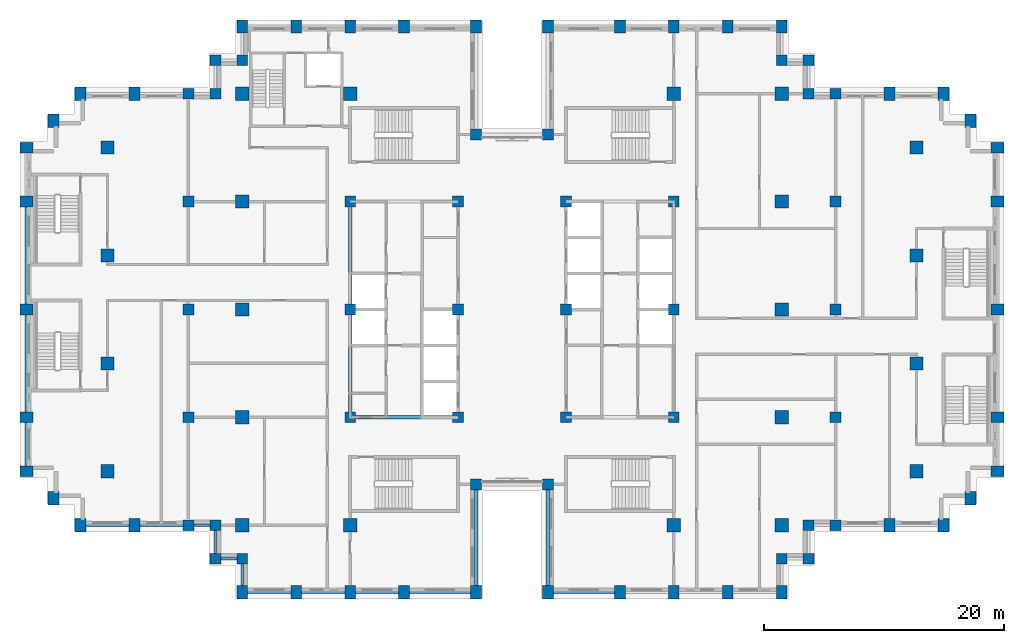
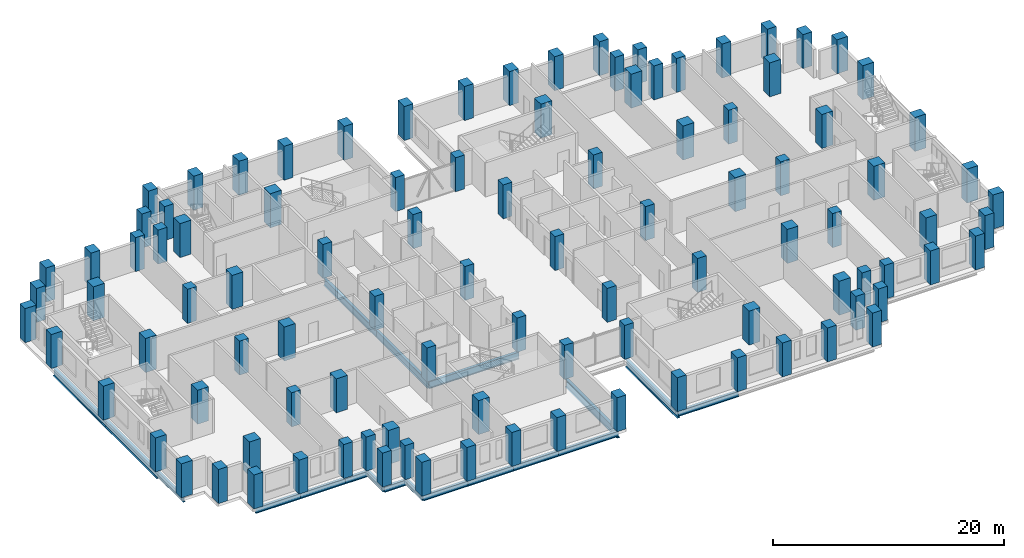
# One storey, part 1 of 16: 102 columns, 19 beams.
"""IFC4 building model written with IfcOpenShell, lengths in metres."""

from ifc_helpers import new_model, si_unit, direction, frame, origin, origin_2d, place, context, subcontext, project, spatial, rectangle, i_section, extrude, material, material_profile, profile_set, type_object, element, save


model = new_model("IFC4")

# Units and contexts
model_context = context("Model", 3, precision=1e-05, world=origin(), true_north=direction((0.0, 1.0)))
body_context = subcontext(model_context, "Body", "Model", "MODEL_VIEW")
ifc_project = project(units=[si_unit("LENGTHUNIT", "METRE"), si_unit("AREAUNIT", "SQUARE_METRE"), si_unit("VOLUMEUNIT", "CUBIC_METRE"), si_unit("PLANEANGLEUNIT", "RADIAN"), si_unit("MASSUNIT", "GRAM", prefix="KILO")], contexts=[model_context])

# Site, building, storey
site_placement = place(None, origin())
site = spatial("IfcSite", under=ifc_project, at=site_placement, CompositionType="ELEMENT")
building_placement = place(site_placement, origin())
building = spatial("IfcBuilding", under=site, at=building_placement, Name="Corbelhall Arena Tower", CompositionType="ELEMENT")
storey_placement = place(building_placement, frame((0.0, 0.0, 174.0)))
storey = spatial("IfcBuildingStorey", under=building, at=storey_placement, Name="L35", CompositionType="ELEMENT", Elevation=174.0)

# Columns
ifc_material_1 = material(Name="Concrete C80/95", Category="concrete")
ifc_material_profile_1 = material_profile(ifc_material_1, rectangle(XDim=1.10009765625, YDim=1.10009765625, at=origin_2d()))
ifc_profile_set_1 = profile_set([ifc_material_profile_1], Name="Concrete C80/95")
column_type_1 = type_object("IfcColumnType", Name="ST-COL-RC 1100x1100", PredefinedType="COLUMN", material=ifc_profile_set_1)
for number, where, z_axis, x_axis, name in (
    (1, (-33.75, 4.5, 0.0), (0.0, 0.0, 1.0), (1.0, 0.0, 0.0), "Column FIC+0450"),
    (2, (-33.75, 13.5, 0.0), (0.0, 0.0, 1.0), (1.0, 0.0, 0.0), "Column FIC+1350"),
    (3, (-33.75, -4.5, 0.0), (0.0, 0.0, 1.0), (1.0, 0.0, 0.0), "Column FIC-0450"),
    (4, (-33.75, -13.5, 0.0), (0.0, 0.0, 1.0), (1.0, 0.0, 0.0), "Column FIC-1350"),
    (5, (33.75, 4.5, 0.0), (0.0, 0.0, 1.0), (1.0, 0.0, 0.0), "Column FID+0450"),
    (6, (33.75, 13.5, 0.0), (0.0, 0.0, 1.0), (1.0, 0.0, 0.0), "Column FID+1350"),
    (7, (33.75, -4.5, 0.0), (0.0, 0.0, 1.0), (1.0, 0.0, 0.0), "Column FID-0450"),
    (8, (33.75, -13.5, 0.0), (0.0, 0.0, 1.0), (1.0, 0.0, 0.0), "Column FID-1350"),
    (9, (13.5, 18.0, 0.0), (0.0, 0.0, 1.0), (1.0, 0.0, 0.0), "Column IE13+1800"),
    (10, (13.5, -18.0, 0.0), (0.0, 0.0, 1.0), (1.0, 0.0, 0.0), "Column IE13-1800"),
    (11, (22.5, 0.0, 0.0), (0.0, 0.0, 1.0), (1.0, 0.0, 0.0), "Column IE22+0000"),
    (12, (22.5, 9.0, 0.0), (0.0, 0.0, 1.0), (1.0, 0.0, 0.0), "Column IE22+0900"),
    (13, (22.5, 18.0, 0.0), (0.0, 0.0, 1.0), (1.0, 0.0, 0.0), "Column IE22+1800"),
    (14, (22.5, -9.0, 0.0), (0.0, 0.0, 1.0), (1.0, 0.0, 0.0), "Column IE22-0900"),
    (15, (22.5, -18.0, 0.0), (0.0, 0.0, 1.0), (1.0, 0.0, 0.0), "Column IE22-1800"),
    (16, (-13.5, 18.0, 0.0), (0.0, 0.0, 1.0), (1.0, 0.0, 0.0), "Column IW13+1800"),
    (17, (-13.5, -18.0, 0.0), (0.0, 0.0, 1.0), (1.0, 0.0, 0.0), "Column IW13-1800"),
    (18, (-22.5, 0.0, 0.0), (0.0, 0.0, 1.0), (1.0, 0.0, 0.0), "Column IW22+0000"),
    (19, (-22.5, 9.0, 0.0), (0.0, 0.0, 1.0), (1.0, 0.0, 0.0), "Column IW22+0900"),
    (20, (-22.5, 18.0, 0.0), (0.0, 0.0, 1.0), (1.0, 0.0, 0.0), "Column IW22+1800"),
    (21, (-22.5, -9.0, 0.0), (0.0, 0.0, 1.0), (1.0, 0.0, 0.0), "Column IW22-0900"),
    (22, (-22.5, -18.0, 0.0), (0.0, 0.0, 1.0), (1.0, 0.0, 0.0), "Column IW22-1800"),
):
    element("IfcColumn", number, at=place(storey_placement, frame(where, z_axis=z_axis, x_axis=x_axis)), inside=storey, type_object=column_type_1, Name=name, PredefinedType="COLUMN", context=body_context, shape_type="SweptSolid", body=[
        extrude(rectangle(XDim=1.10009765625, YDim=1.10009765625, at=origin_2d()), origin(), (0.0, 0.0, 1.0), 3.590087890625),
    ])
ifc_material_profile_2 = material_profile(ifc_material_1, rectangle(XDim=0.89990234375, YDim=1.10009765625, at=origin_2d()))
ifc_profile_set_2 = profile_set([ifc_material_profile_2], Name="Concrete C80/95")
column_type_2 = type_object("IfcColumnType", Name="ST-COL-RC 900x1100", PredefinedType="COLUMN", material=ifc_profile_set_2)
for number, where, z_axis, x_axis, name in (
    (23, (-40.5, 0.0, 0.0), (0.0, 0.0, 1.0), (0.0, 1.0, 0.0), "Column FC+0000"),
    (24, (-40.5, 9.0, 0.0), (0.0, 0.0, 1.0), (0.0, 1.0, 0.0), "Column FC+0900"),
    (25, (-40.5, 13.5, 0.0), (0.0, 0.0, 1.0), (0.0, 1.0, 0.0), "Column FC+1350"),
    (26, (-40.5, -9.0, 0.0), (0.0, 0.0, 1.0), (0.0, 1.0, 0.0), "Column FC-0900"),
    (27, (-40.5, -13.5, 0.0), (0.0, 0.0, 1.0), (0.0, 1.0, 0.0), "Column FC-1350"),
    (28, (-38.25, 15.75, 0.0), (0.0, 0.0, 1.0), (1.0, 0.0, 0.0), "Column FCCN"),
    (29, (-38.25, -15.75, 0.0), (0.0, 0.0, 1.0), (1.0, 0.0, 0.0), "Column FCCS"),
    (30, (-31.5, 18.0, 0.0), (0.0, 0.0, 1.0), (1.0, 0.0, 0.0), "Column FCN3150"),
    (31, (-36.0, 18.0, 0.0), (0.0, 0.0, 1.0), (1.0, 0.0, 0.0), "Column FCN3600"),
    (32, (-31.5, -18.0, 0.0), (0.0, 0.0, 1.0), (1.0, 0.0, 0.0), "Column FCS3150"),
    (33, (-36.0, -18.0, 0.0), (0.0, 0.0, 1.0), (1.0, 0.0, 0.0), "Column FCS3600"),
    (34, (40.5, 0.0, 0.0), (0.0, 0.0, 1.0), (0.0, 1.0, 0.0), "Column FD+0000"),
    (35, (40.5, 9.0, 0.0), (0.0, 0.0, 1.0), (0.0, 1.0, 0.0), "Column FD+0900"),
    (36, (40.5, 13.5, 0.0), (0.0, 0.0, 1.0), (0.0, 1.0, 0.0), "Column FD+1350"),
    (37, (40.5, -9.0, 0.0), (0.0, 0.0, 1.0), (0.0, 1.0, 0.0), "Column FD-0900"),
    (38, (40.5, -13.5, 0.0), (0.0, 0.0, 1.0), (0.0, 1.0, 0.0), "Column FD-1350"),
    (39, (38.25, 15.75, 0.0), (0.0, 0.0, 1.0), (1.0, 0.0, 0.0), "Column FDCN"),
    (40, (38.25, -15.75, 0.0), (0.0, 0.0, 1.0), (1.0, 0.0, 0.0), "Column FDCS"),
    (41, (31.5, 18.0, 0.0), (0.0, 0.0, 1.0), (1.0, 0.0, 0.0), "Column FDN3150"),
    (42, (36.0, 18.0, 0.0), (0.0, 0.0, 1.0), (1.0, 0.0, 0.0), "Column FDN3600"),
    (43, (31.5, -18.0, 0.0), (0.0, 0.0, 1.0), (1.0, 0.0, 0.0), "Column FDS3150"),
    (44, (36.0, -18.0, 0.0), (0.0, 0.0, 1.0), (1.0, 0.0, 0.0), "Column FDS3600"),
    (45, (3.0, 23.60009765625, 0.0), (0.0, 0.0, 1.0), (1.0, 0.0, 0.0), "Column PNE0300"),
    (46, (9.0, 23.60009765625, 0.0), (0.0, 0.0, 1.0), (1.0, 0.0, 0.0), "Column PNE0900"),
    (47, (13.5, 23.60009765625, 0.0), (0.0, 0.0, 1.0), (1.0, 0.0, 0.0), "Column PNE1350"),
    (48, (18.0, 23.60009765625, 0.0), (0.0, 0.0, 1.0), (1.0, 0.0, 0.0), "Column PNE1800"),
    (49, (22.5, 23.60009765625, 0.0), (0.0, 0.0, 1.0), (1.0, 0.0, 0.0), "Column PNE2250"),
    (50, (-3.0, 23.60009765625, 0.0), (0.0, 0.0, 1.0), (1.0, 0.0, 0.0), "Column PNW0300"),
    (51, (-9.0, 23.60009765625, 0.0), (0.0, 0.0, 1.0), (1.0, 0.0, 0.0), "Column PNW0900"),
    (52, (-13.5, 23.60009765625, 0.0), (0.0, 0.0, 1.0), (1.0, 0.0, 0.0), "Column PNW1350"),
    (53, (-18.0, 23.60009765625, 0.0), (0.0, 0.0, 1.0), (1.0, 0.0, 0.0), "Column PNW1800"),
    (54, (-22.5, 23.60009765625, 0.0), (0.0, 0.0, 1.0), (1.0, 0.0, 0.0), "Column PNW2250"),
    (55, (3.0, -23.60009765625, 0.0), (0.0, 0.0, 1.0), (1.0, 0.0, 0.0), "Column PSE0300"),
    (56, (9.0, -23.60009765625, 0.0), (0.0, 0.0, 1.0), (1.0, 0.0, 0.0), "Column PSE0900"),
    (57, (13.5, -23.60009765625, 0.0), (0.0, 0.0, 1.0), (1.0, 0.0, 0.0), "Column PSE1350"),
    (58, (18.0, -23.60009765625, 0.0), (0.0, 0.0, 1.0), (1.0, 0.0, 0.0), "Column PSE1800"),
    (59, (22.5, -23.60009765625, 0.0), (0.0, 0.0, 1.0), (1.0, 0.0, 0.0), "Column PSE2250"),
    (60, (-3.0, -23.60009765625, 0.0), (0.0, 0.0, 1.0), (1.0, 0.0, 0.0), "Column PSW0300"),
    (61, (-9.0, -23.60009765625, 0.0), (0.0, 0.0, 1.0), (1.0, 0.0, 0.0), "Column PSW0900"),
    (62, (-13.5, -23.60009765625, 0.0), (0.0, 0.0, 1.0), (1.0, 0.0, 0.0), "Column PSW1350"),
    (63, (-18.0, -23.60009765625, 0.0), (0.0, 0.0, 1.0), (1.0, 0.0, 0.0), "Column PSW1800"),
    (64, (-22.5, -23.60009765625, 0.0), (0.0, 0.0, 1.0), (1.0, 0.0, 0.0), "Column PSW2250"),
):
    element("IfcColumn", number, at=place(storey_placement, frame(where, z_axis=z_axis, x_axis=x_axis)), inside=storey, type_object=column_type_2, Name=name, PredefinedType="COLUMN", context=body_context, shape_type="SweptSolid", body=[
        extrude(rectangle(XDim=0.89990234375, YDim=1.10009765625, at=origin_2d()), origin(), (0.0, 0.0, 1.0), 3.590087890625),
    ])
ifc_material_profile_3 = material_profile(ifc_material_1, rectangle(XDim=0.89990234375, YDim=0.89990234375, at=origin_2d()))
ifc_profile_set_3 = profile_set([ifc_material_profile_3], Name="Concrete C80/95")
column_type_3 = type_object("IfcColumnType", Name="ST-COL-RC 900x900", PredefinedType="COLUMN", material=ifc_profile_set_3)
for number, where, z_axis, x_axis, name in (
    (65, (4.5, 0.0, 0.0), (0.0, 0.0, 1.0), (1.0, 0.0, 0.0), "Column KE+0450+0000"),
    (66, (4.5, 9.0, 0.0), (0.0, 0.0, 1.0), (1.0, 0.0, 0.0), "Column KE+0450+0900"),
    (67, (4.5, -9.0, 0.0), (0.0, 0.0, 1.0), (1.0, 0.0, 0.0), "Column KE+0450-0900"),
    (68, (13.5, 0.0, 0.0), (0.0, 0.0, 1.0), (1.0, 0.0, 0.0), "Column KE+1350+0000"),
    (69, (13.5, 9.0, 0.0), (0.0, 0.0, 1.0), (1.0, 0.0, 0.0), "Column KE+1350+0900"),
    (70, (13.5, -9.0, 0.0), (0.0, 0.0, 1.0), (1.0, 0.0, 0.0), "Column KE+1350-0900"),
    (71, (-4.5, 0.0, 0.0), (0.0, 0.0, 1.0), (1.0, 0.0, 0.0), "Column KW-0450+0000"),
    (72, (-4.5, 9.0, 0.0), (0.0, 0.0, 1.0), (1.0, 0.0, 0.0), "Column KW-0450+0900"),
    (73, (-4.5, -9.0, 0.0), (0.0, 0.0, 1.0), (1.0, 0.0, 0.0), "Column KW-0450-0900"),
    (74, (-13.5, 0.0, 0.0), (0.0, 0.0, 1.0), (1.0, 0.0, 0.0), "Column KW-1350+0000"),
    (75, (-13.5, 9.0, 0.0), (0.0, 0.0, 1.0), (1.0, 0.0, 0.0), "Column KW-1350+0900"),
    (76, (-13.5, -9.0, 0.0), (0.0, 0.0, 1.0), (1.0, 0.0, 0.0), "Column KW-1350-0900"),
    (77, (27.0, 0.0, 0.0), (0.0, 0.0, 1.0), (1.0, 0.0, 0.0), "Column PE+0000"),
    (78, (27.0, 9.0, 0.0), (0.0, 0.0, 1.0), (1.0, 0.0, 0.0), "Column PE+0900"),
    (79, (27.0, 18.0, 0.0), (0.0, 0.0, 1.0), (1.0, 0.0, 0.0), "Column PE+1800"),
    (80, (27.0, -9.0, 0.0), (0.0, 0.0, 1.0), (1.0, 0.0, 0.0), "Column PE-0900"),
    (81, (27.0, -18.0, 0.0), (0.0, 0.0, 1.0), (1.0, 0.0, 0.0), "Column PE-1800"),
    (82, (-27.0, 0.0, 0.0), (0.0, 0.0, 1.0), (1.0, 0.0, 0.0), "Column PW+0000"),
    (83, (-27.0, 9.0, 0.0), (0.0, 0.0, 1.0), (1.0, 0.0, 0.0), "Column PW+0900"),
    (84, (-27.0, 18.0, 0.0), (0.0, 0.0, 1.0), (1.0, 0.0, 0.0), "Column PW+1800"),
    (85, (-27.0, -9.0, 0.0), (0.0, 0.0, 1.0), (1.0, 0.0, 0.0), "Column PW-0900"),
    (86, (-27.0, -18.0, 0.0), (0.0, 0.0, 1.0), (1.0, 0.0, 0.0), "Column PW-1800"),
    (87, (3.0, 14.60009765625, 0.0), (0.0, 0.0, 1.0), (1.0, 0.0, 0.0), "Column SLNE2"),
    (88, (-3.0, 14.60009765625, 0.0), (0.0, 0.0, 1.0), (1.0, 0.0, 0.0), "Column SLNW2"),
    (89, (3.0, -14.60009765625, 0.0), (0.0, 0.0, 1.0), (1.0, 0.0, 0.0), "Column SLSE2"),
    (90, (-3.0, -14.60009765625, 0.0), (0.0, 0.0, 1.0), (1.0, 0.0, 0.0), "Column SLSW2"),
    (91, (22.5, 20.800048828125, 0.0), (0.0, 0.0, 1.0), (1.0, 0.0, 0.0), "Column XNE1"),
    (92, (24.75, 20.800048828125, 0.0), (0.0, 0.0, 1.0), (1.0, 0.0, 0.0), "Column XNE2"),
    (93, (24.75, 18.0, 0.0), (0.0, 0.0, 1.0), (1.0, 0.0, 0.0), "Column XNE3"),
    (94, (-22.5, 20.800048828125, 0.0), (0.0, 0.0, 1.0), (1.0, 0.0, 0.0), "Column XNW1"),
    (95, (-24.75, 20.800048828125, 0.0), (0.0, 0.0, 1.0), (1.0, 0.0, 0.0), "Column XNW2"),
    (96, (-24.75, 18.0, 0.0), (0.0, 0.0, 1.0), (1.0, 0.0, 0.0), "Column XNW3"),
    (97, (22.5, -20.800048828125, 0.0), (0.0, 0.0, 1.0), (1.0, 0.0, 0.0), "Column XSE1"),
    (98, (24.75, -20.800048828125, 0.0), (0.0, 0.0, 1.0), (1.0, 0.0, 0.0), "Column XSE2"),
    (99, (24.75, -18.0, 0.0), (0.0, 0.0, 1.0), (1.0, 0.0, 0.0), "Column XSE3"),
    (100, (-22.5, -20.800048828125, 0.0), (0.0, 0.0, 1.0), (1.0, 0.0, 0.0), "Column XSW1"),
    (101, (-24.75, -20.800048828125, 0.0), (0.0, 0.0, 1.0), (1.0, 0.0, 0.0), "Column XSW2"),
    (102, (-24.75, -18.0, 0.0), (0.0, 0.0, 1.0), (1.0, 0.0, 0.0), "Column XSW3"),
):
    element("IfcColumn", number, at=place(storey_placement, frame(where, z_axis=z_axis, x_axis=x_axis)), inside=storey, type_object=column_type_3, Name=name, PredefinedType="COLUMN", context=body_context, shape_type="SweptSolid", body=[
        extrude(rectangle(XDim=0.89990234375, YDim=0.89990234375, at=origin_2d()), origin(), (0.0, 0.0, 1.0), 3.590087890625),
    ])

# Beams
ifc_material_2 = material(Name="Steel ASTM A992 Gr50", Category="steel")
ifc_material_profile_4 = material_profile(ifc_material_2, i_section(OverallWidth=0.2666015625, OverallDepth=0.761962890625, WebThickness=0.014404296875, FlangeThickness=0.021484375, at=origin_2d()))
ifc_profile_set_4 = profile_set([ifc_material_profile_4], Name="Steel ASTM A992 Gr50")
beam_type_1 = type_object("IfcBeamType", Name="ST-BEAM-W30x116", PredefinedType="BEAM", material=ifc_profile_set_4)
for number, where, z_axis, x_axis, name in (
    (103, (-13.5, -9.0, -0.680908203125), (0.0, 1.0, 0.0), (-1.0, 0.0, 0.0), "Beam CEW 1"),
    (104, (-13.5, 0.0, -0.680908203125), (0.0, 1.0, 0.0), (-1.0, 0.0, 0.0), "Beam CEW 2"),
    (105, (-13.5, -9.0, -0.680908203125), (1.0, 0.0, 0.0), (0.0, 1.0, 0.0), "Beam CEW 5"),
):
    element("IfcBeam", number, at=place(storey_placement, frame(where, z_axis=z_axis, x_axis=x_axis)), inside=storey, type_object=beam_type_1, Name=name, PredefinedType="BEAM", context=body_context, shape_type="SweptSolid", body=[
        extrude(i_section(OverallWidth=0.2666015625, OverallDepth=0.761962890625, WebThickness=0.014404296875, FlangeThickness=0.021484375, at=origin_2d()), origin(), (0.0, 0.0, 1.0), 9.0),
    ])
ifc_material_profile_5 = material_profile(ifc_material_2, i_section(OverallWidth=0.22900390625, OverallDepth=0.612060546875, WebThickness=0.011962890625, FlangeThickness=0.01953125, at=origin_2d()))
ifc_profile_set_5 = profile_set([ifc_material_profile_5], Name="Steel ASTM A992 Gr50")
beam_type_2 = type_object("IfcBeamType", Name="ST-SPANDREL-W24x84", PredefinedType="SPANDREL", material=ifc_profile_set_5)
for number, where, z_axis, x_axis, name in (
    (106, (-40.5, -13.5, -0.60595703125), (0.0, 1.0, 0.0), (-1.0, 0.0, 0.0), "Beam SP 4"),
    (107, (-31.5, -18.0, -0.60595703125), (-1.0, 0.0, 0.0), (0.0, -1.0, 0.0), "Beam SP 7"),
):
    element("IfcBeam", number, at=place(storey_placement, frame(where, z_axis=z_axis, x_axis=x_axis)), inside=storey, type_object=beam_type_2, Name=name, PredefinedType="SPANDREL", context=body_context, shape_type="SweptSolid", body=[
        extrude(i_section(OverallWidth=0.22900390625, OverallDepth=0.612060546875, WebThickness=0.011962890625, FlangeThickness=0.01953125, at=origin_2d()), origin(), (0.0, 0.0, 1.0), 4.5),
    ])
for number, where, z_axis, x_axis, name in (
    (108, (9.0, -23.60009765625, -0.60595703125), (-1.0, 0.0, 0.0), (0.0, -1.0, 0.0), "Beam SP 28"),
    (109, (-3.0, -23.60009765625, -0.60595703125), (-1.0, 0.0, 0.0), (0.0, -1.0, 0.0), "Beam SP 32"),
):
    element("IfcBeam", number, at=place(storey_placement, frame(where, z_axis=z_axis, x_axis=x_axis)), inside=storey, type_object=beam_type_2, Name=name, PredefinedType="SPANDREL", context=body_context, shape_type="SweptSolid", body=[
        extrude(i_section(OverallWidth=0.22900390625, OverallDepth=0.612060546875, WebThickness=0.011962890625, FlangeThickness=0.01953125, at=origin_2d()), origin(), (0.0, 0.0, 1.0), 6.0),
    ])
for number, where, z_axis, x_axis, name in (
    (110, (-9.0, -23.60009765625, -0.60595703125), (-1.0, 0.0, 0.0), (0.0, -1.0, 0.0), "Beam SP 33"),
    (111, (-13.5, -23.60009765625, -0.60595703125), (-1.0, 0.0, 0.0), (0.0, -1.0, 0.0), "Beam SP 34"),
    (112, (-18.0, -23.60009765625, -0.60595703125), (-1.0, 0.0, 0.0), (0.0, -1.0, 0.0), "Beam SP 35"),
):
    element("IfcBeam", number, at=place(storey_placement, frame(where, z_axis=z_axis, x_axis=x_axis)), inside=storey, type_object=beam_type_2, Name=name, PredefinedType="SPANDREL", context=body_context, shape_type="SweptSolid", body=[
        extrude(i_section(OverallWidth=0.22900390625, OverallDepth=0.612060546875, WebThickness=0.011962890625, FlangeThickness=0.01953125, at=origin_2d()), origin(), (0.0, 0.0, 1.0), 4.5),
    ])
beam_1_placement = place(storey_placement, frame((-22.5, -23.60009765625, -0.60595703125), z_axis=(0.0, 1.0, 0.0), x_axis=(-1.0, 0.0, 0.0)))
element("IfcBeam", 113, at=beam_1_placement, inside=storey, type_object=beam_type_2, Name="Beam SP 36", PredefinedType="SPANDREL", context=body_context, shape_type="SweptSolid", body=[
    extrude(i_section(OverallWidth=0.22900390625, OverallDepth=0.612060546875, WebThickness=0.011962890625, FlangeThickness=0.01953125, at=origin_2d()), origin(), (0.0, 0.0, 1.0), 2.800048828125),
])
beam_2_placement = place(storey_placement, frame((-27.0, -18.0, -0.60595703125), z_axis=(-1.0, 0.0, 0.0), x_axis=(0.0, -1.0, 0.0)))
element("IfcBeam", 114, at=beam_2_placement, inside=storey, type_object=beam_type_2, Name="Beam SP 38", PredefinedType="SPANDREL", context=body_context, shape_type="SweptSolid", body=[
    extrude(i_section(OverallWidth=0.22900390625, OverallDepth=0.612060546875, WebThickness=0.011962890625, FlangeThickness=0.01953125, at=origin_2d()), origin(), (0.0, 0.0, 1.0), 4.5),
])
beam_3_placement = place(storey_placement, frame((-22.5, -20.800048828125, -0.60595703125), z_axis=(-1.0, 0.0, 0.0), x_axis=(0.0, -1.0, 0.0)))
element("IfcBeam", 115, at=beam_3_placement, inside=storey, type_object=beam_type_2, Name="Beam SP 52", PredefinedType="SPANDREL", context=body_context, shape_type="SweptSolid", body=[
    extrude(i_section(OverallWidth=0.22900390625, OverallDepth=0.612060546875, WebThickness=0.011962890625, FlangeThickness=0.01953125, at=origin_2d()), origin(), (0.0, 0.0, 1.0), 2.25),
])
beam_4_placement = place(storey_placement, frame((-24.75, -20.800048828125, -0.60595703125), z_axis=(0.0, 1.0, 0.0), x_axis=(-1.0, 0.0, 0.0)))
element("IfcBeam", 116, at=beam_4_placement, inside=storey, type_object=beam_type_2, Name="Beam SP 53", PredefinedType="SPANDREL", context=body_context, shape_type="SweptSolid", body=[
    extrude(i_section(OverallWidth=0.22900390625, OverallDepth=0.612060546875, WebThickness=0.011962890625, FlangeThickness=0.01953125, at=origin_2d()), origin(), (0.0, 0.0, 1.0), 2.800048828125),
])
beam_5_placement = place(storey_placement, frame((-24.75, -18.0, -0.60595703125), z_axis=(-1.0, 0.0, 0.0), x_axis=(0.0, -1.0, 0.0)))
element("IfcBeam", 117, at=beam_5_placement, inside=storey, type_object=beam_type_2, Name="Beam SP 54", PredefinedType="SPANDREL", context=body_context, shape_type="SweptSolid", body=[
    extrude(i_section(OverallWidth=0.22900390625, OverallDepth=0.612060546875, WebThickness=0.011962890625, FlangeThickness=0.01953125, at=origin_2d()), origin(), (0.0, 0.0, 1.0), 2.25),
])
ifc_material_profile_6 = material_profile(ifc_material_2, i_section(OverallWidth=0.2919921875, OverallDepth=0.845703125, WebThickness=0.015380859375, FlangeThickness=0.0244140625, at=origin_2d()))
ifc_profile_set_6 = profile_set([ifc_material_profile_6], Name="Steel ASTM A992 Gr50")
beam_type_3 = type_object("IfcBeamType", Name="ST-SPANDREL-W33x141", PredefinedType="SPANDREL", material=ifc_profile_set_6)
for number, where, z_axis, x_axis, name in (
    (118, (-40.5, 0.0, -0.722900390625), (0.0, 1.0, 0.0), (-1.0, 0.0, 0.0), "Beam SP 1"),
    (119, (-40.5, -9.0, -0.722900390625), (0.0, 1.0, 0.0), (-1.0, 0.0, 0.0), "Beam SP 3"),
    (120, (3.0, -23.60009765625, -0.722900390625), (0.0, 1.0, 0.0), (-1.0, 0.0, 0.0), "Beam SP 27"),
    (121, (-3.0, -14.60009765625, -0.722900390625), (0.0, -1.0, 0.0), (1.0, 0.0, 0.0), "Beam SP 42"),
):
    element("IfcBeam", number, at=place(storey_placement, frame(where, z_axis=z_axis, x_axis=x_axis)), inside=storey, type_object=beam_type_3, Name=name, PredefinedType="SPANDREL", context=body_context, shape_type="SweptSolid", body=[
        extrude(i_section(OverallWidth=0.2919921875, OverallDepth=0.845703125, WebThickness=0.015380859375, FlangeThickness=0.0244140625, at=origin_2d()), origin(), (0.0, 0.0, 1.0), 9.0),
    ])

save(model, "model.ifc")
